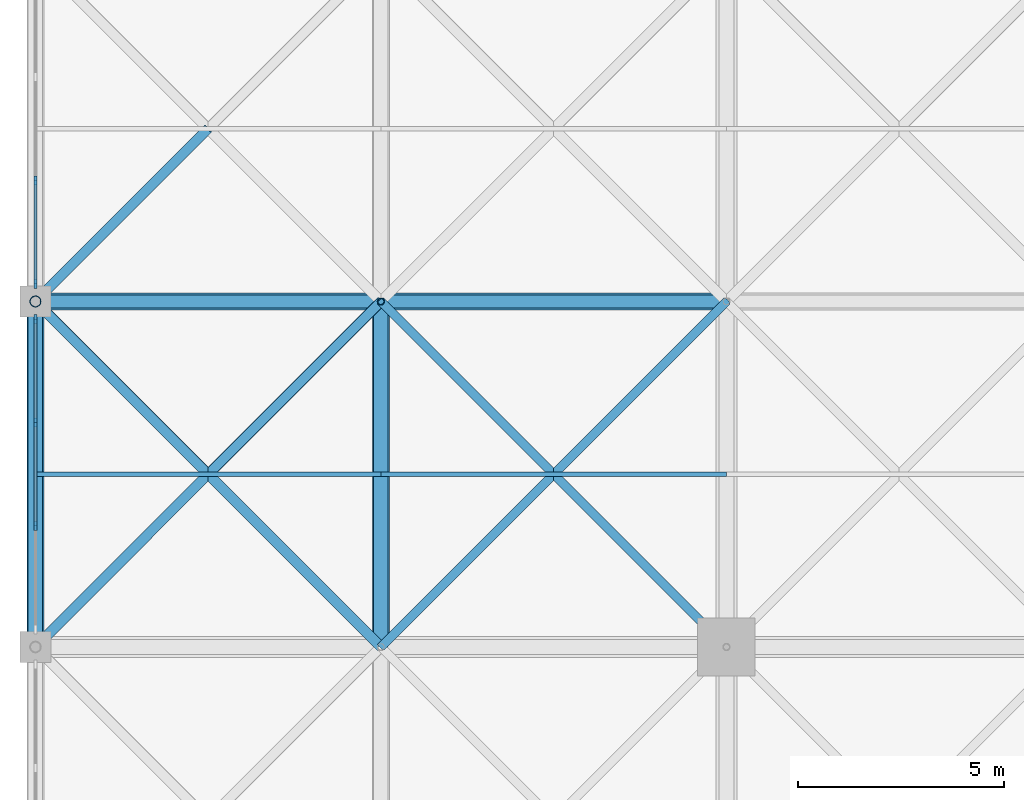
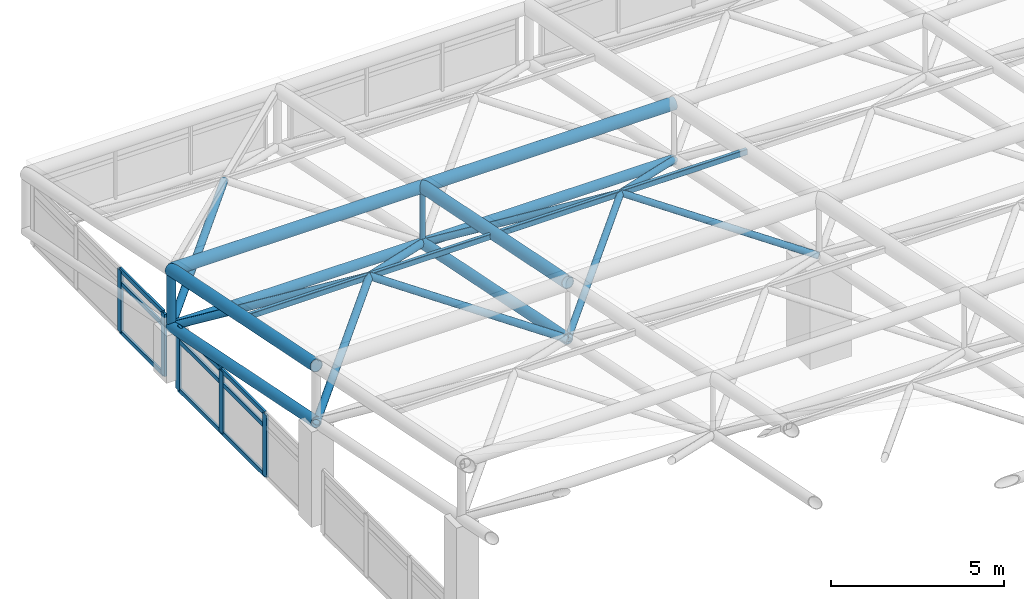
# One storey, part 47 of 81: 35 members, 2 elements without a shape of their own.
"""IFC4 building model written with IfcOpenShell, lengths in metres."""

from ifc_helpers import new_model, si_unit, direction, frame, origin, origin_2d, place, context, subcontext, project, spatial, rectangle, hollow_rectangle, hollow_circle, extrude, material, layer, layer_set, material_profile, profile_set, type_object, element, aggregate, save


model = new_model("IFC4")

# Units and contexts
model_context = context("Model", 3, precision=1e-05, world=origin(), true_north=direction((0.0, 1.0)))
body_context = subcontext(model_context, "Body", "Model", "MODEL_VIEW")
ifc_project = project(units=[si_unit("LENGTHUNIT", "METRE"), si_unit("AREAUNIT", "SQUARE_METRE"), si_unit("VOLUMEUNIT", "CUBIC_METRE"), si_unit("PLANEANGLEUNIT", "RADIAN"), si_unit("MASSUNIT", "GRAM", prefix="KILO")], contexts=[model_context])

# Site, building, storey
site_placement = place(None, origin())
site = spatial("IfcSite", under=ifc_project, at=site_placement, CompositionType="ELEMENT")
building_placement = place(site_placement, origin())
building = spatial("IfcBuilding", under=site, at=building_placement, Name="Qawsi Khor Wholesale Market", CompositionType="ELEMENT")
storey_placement = place(building_placement, frame((0.0, 0.0, 16.199951171875)))
storey = spatial("IfcBuildingStorey", under=building, at=storey_placement, Name="L03", CompositionType="ELEMENT", Elevation=16.199951171875)

# Curtain wall, members
ifc_material_1 = material(Name="Aluminium Anodised Bronze", Category="aluminium")
ifc_layer = layer(ifc_material_1, 0.199951171875, Name="Aluminium Anodised Bronze")
ifc_layer_set = layer_set([ifc_layer], Name="Aluminium Anodised Bronze")
curtain_wall_type = type_object("IfcCurtainWallType", Name="Trading Hall North-Light Curtain Wall CW-03", PredefinedType="NOTDEFINED", material=ifc_layer_set)
curtain_wall_1_placement = place(storey_placement, origin())
curtain_wall_1 = element("IfcCurtainWall", 1, at=curtain_wall_1_placement, inside=storey, type_object=curtain_wall_type, Name="Curtain wall CW-CW-03-L03-141", PredefinedType="NOTDEFINED")
ifc_material_profile_1 = material_profile(ifc_material_1, rectangle(XDim=0.074951171875, YDim=0.219970703125, at=origin_2d()), Name="ALU MULLION 75x220")
ifc_profile_set_1 = profile_set([ifc_material_profile_1], Name="Aluminium Anodised Bronze")
member_type_1 = type_object("IfcMemberType", Name="Curtain Wall Mullion CW-03 ALU MULLION 75x220", PredefinedType="MULLION", material=ifc_profile_set_1)
member_1_placement = place(storey_placement, frame((0.0, 95.3408203125, -0.300048828125), z_axis=(0.0, 0.0, 1.0), x_axis=(1.0, 0.0, 0.0)))
member_1 = element("IfcMember", 2, at=member_1_placement, type_object=member_type_1, Name="Mullion CW-CW-03-L03-141-M01", PredefinedType="MULLION", context=body_context, shape_type="SweptSolid", body=[
    extrude(rectangle(XDim=0.074951171875, YDim=0.219970703125, at=origin_2d()), origin(), (0.0, 0.0, 1.0), 2.2001953125),
])
member_2_placement = place(storey_placement, frame((0.0, 97.859130859375, -0.300048828125), z_axis=(0.0, 0.0, 1.0), x_axis=(1.0, 0.0, 0.0)))
member_2 = element("IfcMember", 3, at=member_2_placement, type_object=member_type_1, Name="Mullion CW-CW-03-L03-141-M02", PredefinedType="MULLION", context=body_context, shape_type="SweptSolid", body=[
    extrude(rectangle(XDim=0.074951171875, YDim=0.219970703125, at=origin_2d()), origin(), (0.0, 0.0, 1.0), 2.2001953125),
])
member_3_placement = place(storey_placement, frame((0.0, 100.37744140625, -0.300048828125), z_axis=(0.0, 0.0, 1.0), x_axis=(1.0, 0.0, 0.0)))
member_3 = element("IfcMember", 4, at=member_3_placement, type_object=member_type_1, Name="Mullion CW-CW-03-L03-141-M03", PredefinedType="MULLION", context=body_context, shape_type="SweptSolid", body=[
    extrude(rectangle(XDim=0.074951171875, YDim=0.219970703125, at=origin_2d()), origin(), (0.0, 0.0, 1.0), 2.2001953125),
])

curtain_wall_2_placement = place(storey_placement, origin())
curtain_wall_2 = element("IfcCurtainWall", 5, at=curtain_wall_2_placement, inside=storey, type_object=curtain_wall_type, Name="Curtain wall CW-CW-03-L03-143", PredefinedType="NOTDEFINED")
member_4_placement = place(storey_placement, frame((0.0, 101.222412109375, -0.300048828125), z_axis=(0.0, 0.0, 1.0), x_axis=(1.0, 0.0, 0.0)))
member_4 = element("IfcMember", 6, at=member_4_placement, type_object=member_type_1, Name="Mullion CW-CW-03-L03-143-M00", PredefinedType="MULLION", context=body_context, shape_type="SweptSolid", body=[
    extrude(rectangle(XDim=0.074951171875, YDim=0.219970703125, at=origin_2d()), origin(), (0.0, 0.0, 1.0), 2.2001953125),
])
member_5_placement = place(storey_placement, frame((0.0, 103.74072265625, -0.300048828125), z_axis=(0.0, 0.0, 1.0), x_axis=(1.0, 0.0, 0.0)))
member_5 = element("IfcMember", 7, at=member_5_placement, type_object=member_type_1, Name="Mullion CW-CW-03-L03-143-M01", PredefinedType="MULLION", context=body_context, shape_type="SweptSolid", body=[
    extrude(rectangle(XDim=0.074951171875, YDim=0.219970703125, at=origin_2d()), origin(), (0.0, 0.0, 1.0), 2.2001953125),
])

# Member
ifc_material_profile_2 = material_profile(ifc_material_1, rectangle(XDim=0.070068359375, YDim=0.14990234375, at=origin_2d()), Name="ALU TRANSOM 70x150")
ifc_profile_set_2 = profile_set([ifc_material_profile_2], Name="Aluminium Anodised Bronze")
member_type_2 = type_object("IfcMemberType", Name="Curtain Wall Transom CW-03 ALU TRANSOM 70x150", PredefinedType="USERDEFINED", material=ifc_profile_set_2)
member_6_placement = place(storey_placement, frame((0.0, 95.3408203125, -0.280029296875), z_axis=(0.0, 1.0, 0.0), x_axis=(-1.0, 0.0, 0.0)))
member_6 = element("IfcMember", 8, at=member_6_placement, type_object=member_type_2, Name="Transom CW-CW-03-L03-141-T0_01", ObjectType="TRANSOM", PredefinedType="USERDEFINED", context=body_context, shape_type="SweptSolid", body=[
    extrude(rectangle(XDim=0.070068359375, YDim=0.14990234375, at=origin_2d()), origin(), (0.0, 0.0, 1.0), 2.518310546875),
])

member_7_placement = place(storey_placement, frame((0.0, 97.859130859375, -0.280029296875), z_axis=(0.0, 1.0, 0.0), x_axis=(-1.0, 0.0, 0.0)))
member_7 = element("IfcMember", 9, at=member_7_placement, type_object=member_type_2, Name="Transom CW-CW-03-L03-141-T0_02", ObjectType="TRANSOM", PredefinedType="USERDEFINED", context=body_context, shape_type="SweptSolid", body=[
    extrude(rectangle(XDim=0.070068359375, YDim=0.14990234375, at=origin_2d()), origin(), (0.0, 0.0, 1.0), 2.518310546875),
])

member_8_placement = place(storey_placement, frame((0.0, 95.3408203125, 1.449951171875), z_axis=(0.0, 1.0, 0.0), x_axis=(-1.0, 0.0, 0.0)))
member_8 = element("IfcMember", 10, at=member_8_placement, type_object=member_type_2, Name="Transom CW-CW-03-L03-141-T1_01", ObjectType="TRANSOM", PredefinedType="USERDEFINED", context=body_context, shape_type="SweptSolid", body=[
    extrude(rectangle(XDim=0.070068359375, YDim=0.14990234375, at=origin_2d()), origin(), (0.0, 0.0, 1.0), 2.518310546875),
])

member_9_placement = place(storey_placement, frame((0.0, 97.859130859375, 1.449951171875), z_axis=(0.0, 1.0, 0.0), x_axis=(-1.0, 0.0, 0.0)))
member_9 = element("IfcMember", 11, at=member_9_placement, type_object=member_type_2, Name="Transom CW-CW-03-L03-141-T1_02", ObjectType="TRANSOM", PredefinedType="USERDEFINED", context=body_context, shape_type="SweptSolid", body=[
    extrude(rectangle(XDim=0.070068359375, YDim=0.14990234375, at=origin_2d()), origin(), (0.0, 0.0, 1.0), 2.518310546875),
])

member_10_placement = place(storey_placement, frame((0.0, 95.3408203125, 1.900146484375), z_axis=(0.0, 1.0, 0.0), x_axis=(-1.0, 0.0, 0.0)))
member_10 = element("IfcMember", 12, at=member_10_placement, type_object=member_type_2, Name="Transom CW-CW-03-L03-141-T2_01", ObjectType="TRANSOM", PredefinedType="USERDEFINED", context=body_context, shape_type="SweptSolid", body=[
    extrude(rectangle(XDim=0.070068359375, YDim=0.14990234375, at=origin_2d()), origin(), (0.0, 0.0, 1.0), 2.518310546875),
])

member_11_placement = place(storey_placement, frame((0.0, 97.859130859375, 1.900146484375), z_axis=(0.0, 1.0, 0.0), x_axis=(-1.0, 0.0, 0.0)))
member_11 = element("IfcMember", 13, at=member_11_placement, type_object=member_type_2, Name="Transom CW-CW-03-L03-141-T2_02", ObjectType="TRANSOM", PredefinedType="USERDEFINED", context=body_context, shape_type="SweptSolid", body=[
    extrude(rectangle(XDim=0.070068359375, YDim=0.14990234375, at=origin_2d()), origin(), (0.0, 0.0, 1.0), 2.518310546875),
])

aggregate(curtain_wall_1, [member_1, member_2, member_3, member_6, member_7, member_8, member_9, member_10, member_11])

member_12_placement = place(storey_placement, frame((0.0, 101.222412109375, -0.280029296875), z_axis=(0.0, 1.0, 0.0), x_axis=(-1.0, 0.0, 0.0)))
member_12 = element("IfcMember", 14, at=member_12_placement, type_object=member_type_2, Name="Transom CW-CW-03-L03-143-T0_00", ObjectType="TRANSOM", PredefinedType="USERDEFINED", context=body_context, shape_type="SweptSolid", body=[
    extrude(rectangle(XDim=0.070068359375, YDim=0.14990234375, at=origin_2d()), origin(), (0.0, 0.0, 1.0), 2.518310546875),
])

member_13_placement = place(storey_placement, frame((0.0, 101.222412109375, 1.449951171875), z_axis=(0.0, 1.0, 0.0), x_axis=(-1.0, 0.0, 0.0)))
member_13 = element("IfcMember", 15, at=member_13_placement, type_object=member_type_2, Name="Transom CW-CW-03-L03-143-T1_00", ObjectType="TRANSOM", PredefinedType="USERDEFINED", context=body_context, shape_type="SweptSolid", body=[
    extrude(rectangle(XDim=0.070068359375, YDim=0.14990234375, at=origin_2d()), origin(), (0.0, 0.0, 1.0), 2.518310546875),
])

member_14_placement = place(storey_placement, frame((0.0, 101.222412109375, 1.900146484375), z_axis=(0.0, 1.0, 0.0), x_axis=(-1.0, 0.0, 0.0)))
member_14 = element("IfcMember", 16, at=member_14_placement, type_object=member_type_2, Name="Transom CW-CW-03-L03-143-T2_00", ObjectType="TRANSOM", PredefinedType="USERDEFINED", context=body_context, shape_type="SweptSolid", body=[
    extrude(rectangle(XDim=0.070068359375, YDim=0.14990234375, at=origin_2d()), origin(), (0.0, 0.0, 1.0), 2.518310546875),
])

aggregate(curtain_wall_2, [member_4, member_5, member_12, member_13, member_14])

# Members
ifc_material_2 = material(Name="Steel S355", Category="steel")
ifc_material_profile_3 = material_profile(ifc_material_2, hollow_circle(Radius=0.177734375, WallThickness=0.01611328125, at=origin_2d()), Name="CHS 355.6x16.0")
ifc_profile_set_3 = profile_set([ifc_material_profile_3], Name="Steel S355")
member_type_3 = type_object("IfcMemberType", Name="Space-Frame Bottom Chord CHS 355.6x16.0", PredefinedType="CHORD", material=ifc_profile_set_3)
for number, where, z_axis, x_axis, name in (
    (17, (0.0, 92.39990234375, 3.3701171875), (0.0, 0.98013111127, -0.198350711418), (-1.0, 0.0, 0.0), "Space frame bottom chord Y WH (0,11)"),
    (18, (8.39990234375, 92.39990234375, 3.3701171875), (0.0, 0.98013111127, -0.198350711418), (-1.0, 0.0, 0.0), "Space frame bottom chord Y WH (1,11)"),
):
    element("IfcMember", number, at=place(storey_placement, frame(where, z_axis=z_axis, x_axis=x_axis)), inside=storey, type_object=member_type_3, Name=name, PredefinedType="CHORD", context=body_context, shape_type="SweptSolid", body=[
        extrude(hollow_circle(Radius=0.177734375, WallThickness=0.01611328125, at=origin_2d()), origin(), (0.0, 0.0, 1.0), 8.5703125),
    ])
ifc_material_profile_4 = material_profile(ifc_material_2, hollow_circle(Radius=0.136474609375, WallThickness=0.012451171875, at=origin_2d()), Name="CHS 273.0x12.5")
ifc_profile_set_4 = profile_set([ifc_material_profile_4], Name="Steel S355")
member_type_4 = type_object("IfcMemberType", Name="Space-Frame Edge Post CHS 273.0x12.5", PredefinedType="POST", material=ifc_profile_set_4)
member_15_placement = place(storey_placement, frame((0.0, 100.800048828125, 1.670166015625), z_axis=(0.0, 0.0, 1.0), x_axis=(1.0, 0.0, 0.0)))
element("IfcMember", 19, at=member_15_placement, inside=storey, type_object=member_type_4, Name="Space frame post WH (0,12)", PredefinedType="POST", context=body_context, shape_type="SweptSolid", body=[
    extrude(hollow_circle(Radius=0.136474609375, WallThickness=0.012451171875, at=origin_2d()), origin(), (0.0, 0.0, 1.0), 2.0),
])
ifc_material_profile_5 = material_profile(ifc_material_2, hollow_circle(Radius=0.122314453125, WallThickness=0.012451171875, at=origin_2d()), Name="CHS 244.5x12.5")
ifc_profile_set_5 = profile_set([ifc_material_profile_5], Name="Steel S355")
member_type_5 = type_object("IfcMemberType", Name="Space-Frame Heavy Diagonal CHS 244.5x12.5", PredefinedType="POST", material=ifc_profile_set_5)
for number, where, z_axis, x_axis, name in (
    (20, (0.0, 92.39990234375, 3.3701171875), (0.694197266374, 0.694237619642, 0.19006389145), (-0.707127332136, 0.70708622964, 0.0), "Space frame diagonal WH (0,11)-1"),
    (21, (8.39990234375, 92.39990234375, 3.3701171875), (-0.694197266374, 0.694237619642, 0.19006389145), (-0.707127332136, -0.70708622964, 0.0), "Space frame diagonal WH (0,11)-2"),
):
    element("IfcMember", number, at=place(storey_placement, frame(where, z_axis=z_axis, x_axis=x_axis)), inside=storey, type_object=member_type_5, Name=name, PredefinedType="POST", context=body_context, shape_type="SweptSolid", body=[
        extrude(hollow_circle(Radius=0.122314453125, WallThickness=0.012451171875, at=origin_2d()), origin(), (0.0, 0.0, 1.0), 6.050048828125),
    ])
for number, where, z_axis, x_axis, name in (
    (22, (8.39990234375, 100.800048828125, 1.670166015625), (-0.637521961484, -0.637521961484, 0.432586982294), (0.707106781187, -0.707106781187, 0.0), "Space frame diagonal WH (0,11)-3"),
    (23, (0.0, 100.800048828125, 1.670166015625), (0.637521961484, -0.637521961484, 0.432586982294), (0.707106781187, 0.707106781187, 0.0), "Space frame diagonal WH (0,11)-4"),
):
    element("IfcMember", number, at=place(storey_placement, frame(where, z_axis=z_axis, x_axis=x_axis)), inside=storey, type_object=member_type_5, Name=name, PredefinedType="POST", context=body_context, shape_type="SweptSolid", body=[
        extrude(hollow_circle(Radius=0.122314453125, WallThickness=0.012451171875, at=origin_2d()), origin(), (0.0, 0.0, 1.0), 6.587890625),
    ])
member_16_placement = place(storey_placement, frame((0.0, 100.800048828125, 1.670166015625), z_axis=(0.694216714393, 0.694216714393, 0.190069216113), x_axis=(-0.707106781187, 0.707106781187, 0.0)))
element("IfcMember", 24, at=member_16_placement, inside=storey, type_object=member_type_5, Name="Space frame diagonal WH (0,12)-1", PredefinedType="POST", context=body_context, shape_type="SweptSolid", body=[
    extrude(hollow_circle(Radius=0.122314453125, WallThickness=0.012451171875, at=origin_2d()), origin(), (0.0, 0.0, 1.0), 6.0498046875),
])
ifc_material_profile_6 = material_profile(ifc_material_2, hollow_rectangle(XDim=0.1201171875, YDim=0.199951171875, WallThickness=0.008056640625, InnerFilletRadius=0.008056640625, OuterFilletRadius=0.01611328125, at=origin_2d()), Name="RHS 200x120x8.0")
ifc_profile_set_6 = profile_set([ifc_material_profile_6], Name="Steel S355")
member_type_6 = type_object("IfcMemberType", Name="Space-Frame Heavy Purlin RHS 200x120x8.0", PredefinedType="PURLIN", material=ifc_profile_set_6)
member_17_placement = place(storey_placement, frame((0.0, 96.60009765625, 4.52001953125), z_axis=(1.0, 0.0, 0.0), x_axis=(0.0, 1.0, 0.0)))
element("IfcMember", 25, at=member_17_placement, inside=storey, type_object=member_type_6, Name="Space frame purlin WH (0,11)", PredefinedType="PURLIN", context=body_context, shape_type="SweptSolid", body=[
    extrude(hollow_rectangle(XDim=0.1201171875, YDim=0.199951171875, WallThickness=0.008056640625, InnerFilletRadius=0.008056640625, OuterFilletRadius=0.01611328125, at=origin_2d()), origin(), (0.0, 0.0, 1.0), 8.39990234375),
])
member_18_placement = place(storey_placement, frame((8.39990234375, 96.60009765625, 4.52001953125), z_axis=(1.0, 0.0, 0.0), x_axis=(0.0, 1.0, 0.0)))
element("IfcMember", 26, at=member_18_placement, inside=storey, type_object=member_type_6, Name="Space frame purlin WH (1,11)", PredefinedType="PURLIN", context=body_context, shape_type="SweptSolid", body=[
    extrude(hollow_rectangle(XDim=0.1201171875, YDim=0.199951171875, WallThickness=0.008056640625, InnerFilletRadius=0.008056640625, OuterFilletRadius=0.01611328125, at=origin_2d()), origin(), (0.0, 0.0, 1.0), 8.400146484375),
])
ifc_material_profile_7 = material_profile(ifc_material_2, hollow_circle(Radius=0.109619140625, WallThickness=0.010009765625, at=origin_2d()), Name="CHS 219.1x10.0")
ifc_profile_set_7 = profile_set([ifc_material_profile_7], Name="Steel S355")
member_type_7 = type_object("IfcMemberType", Name="Space-Frame Inner Diagonal CHS 219.1x10.0", PredefinedType="RAFTER", material=ifc_profile_set_7)
member_19_placement = place(storey_placement, frame((8.39990234375, 92.39990234375, 3.3701171875), z_axis=(0.694218172126, 0.694218172126, 0.190058567235), x_axis=(-0.707106781187, 0.707106781187, 0.0)))
element("IfcMember", 27, at=member_19_placement, inside=storey, type_object=member_type_7, Name="Space frame diagonal WH (1,11)-1", PredefinedType="RAFTER", context=body_context, shape_type="SweptSolid", body=[
    extrude(hollow_circle(Radius=0.109619140625, WallThickness=0.010009765625, at=origin_2d()), origin(), (0.0, 0.0, 1.0), 6.05029296875),
])
member_20_placement = place(storey_placement, frame((16.800048828125, 92.39990234375, 3.3701171875), z_axis=(-0.694197266374, 0.694237619642, 0.19006389145), x_axis=(-0.707127332136, -0.70708622964, 0.0)))
element("IfcMember", 28, at=member_20_placement, inside=storey, type_object=member_type_7, Name="Space frame diagonal WH (1,11)-2", PredefinedType="RAFTER", context=body_context, shape_type="SweptSolid", body=[
    extrude(hollow_circle(Radius=0.109619140625, WallThickness=0.010009765625, at=origin_2d()), origin(), (0.0, 0.0, 1.0), 6.050048828125),
])
member_21_placement = place(storey_placement, frame((16.800048828125, 100.800048828125, 1.670166015625), z_axis=(-0.637521961484, -0.637521961484, 0.432586982294), x_axis=(0.707106781187, -0.707106781187, 0.0)))
element("IfcMember", 29, at=member_21_placement, inside=storey, type_object=member_type_7, Name="Space frame diagonal WH (1,11)-3", PredefinedType="RAFTER", context=body_context, shape_type="SweptSolid", body=[
    extrude(hollow_circle(Radius=0.109619140625, WallThickness=0.010009765625, at=origin_2d()), origin(), (0.0, 0.0, 1.0), 6.587890625),
])
member_22_placement = place(storey_placement, frame((8.39990234375, 100.800048828125, 1.670166015625), z_axis=(0.637543957519, -0.637506899628, 0.432576762155), x_axis=(0.70708622964, 0.707127332136, 0.0)))
element("IfcMember", 30, at=member_22_placement, inside=storey, type_object=member_type_7, Name="Space frame diagonal WH (1,11)-4", PredefinedType="RAFTER", context=body_context, shape_type="SweptSolid", body=[
    extrude(hollow_circle(Radius=0.109619140625, WallThickness=0.010009765625, at=origin_2d()), origin(), (0.0, 0.0, 1.0), 6.588134765625),
])
ifc_material_profile_8 = material_profile(ifc_material_2, hollow_circle(Radius=0.161865234375, WallThickness=0.01611328125, at=origin_2d()), Name="CHS 323.9x16.0")
ifc_profile_set_8 = profile_set([ifc_material_profile_8], Name="Steel S355")
member_type_8 = type_object("IfcMemberType", Name="Space-Frame Secondary Chord CHS 323.9x16.0", PredefinedType="CHORD", material=ifc_profile_set_8)
member_23_placement = place(storey_placement, frame((0.0, 100.800048828125, 1.670166015625), z_axis=(1.0, 0.0, 0.0), x_axis=(0.0, 1.0, 0.0)))
element("IfcMember", 31, at=member_23_placement, inside=storey, type_object=member_type_8, Name="Space frame bottom chord X WH (0,12)", PredefinedType="CHORD", context=body_context, shape_type="SweptSolid", body=[
    extrude(hollow_circle(Radius=0.161865234375, WallThickness=0.01611328125, at=origin_2d()), origin(), (0.0, 0.0, 1.0), 8.39990234375),
])
member_24_placement = place(storey_placement, frame((8.39990234375, 100.800048828125, 1.670166015625), z_axis=(1.0, 0.0, 0.0), x_axis=(0.0, 1.0, 0.0)))
element("IfcMember", 32, at=member_24_placement, inside=storey, type_object=member_type_8, Name="Space frame bottom chord X WH (1,12)", PredefinedType="CHORD", context=body_context, shape_type="SweptSolid", body=[
    extrude(hollow_circle(Radius=0.161865234375, WallThickness=0.01611328125, at=origin_2d()), origin(), (0.0, 0.0, 1.0), 8.400146484375),
])
ifc_material_profile_9 = material_profile(ifc_material_2, hollow_circle(Radius=0.203125, WallThickness=0.02001953125, at=origin_2d()), Name="CHS 406.4x20.0")
ifc_profile_set_9 = profile_set([ifc_material_profile_9], Name="Steel S355")
member_type_9 = type_object("IfcMemberType", Name="Space-Frame Top Chord CHS 406.4x20.0", PredefinedType="CHORD", material=ifc_profile_set_9)
member_25_placement = place(storey_placement, frame((0.0, 92.39990234375, 5.3701171875), z_axis=(0.0, 0.98013111127, -0.198350711418), x_axis=(-1.0, 0.0, 0.0)))
element("IfcMember", 33, at=member_25_placement, inside=storey, type_object=member_type_9, Name="Space frame top chord Y WH (0,11)", PredefinedType="CHORD", context=body_context, shape_type="SweptSolid", body=[
    extrude(hollow_circle(Radius=0.203125, WallThickness=0.02001953125, at=origin_2d()), origin(), (0.0, 0.0, 1.0), 8.5703125),
])
member_26_placement = place(storey_placement, frame((0.0, 100.800048828125, 3.670166015625), z_axis=(1.0, 0.0, 0.0), x_axis=(0.0, 1.0, 0.0)))
element("IfcMember", 34, at=member_26_placement, inside=storey, type_object=member_type_9, Name="Space frame top chord X WH (0,12)", PredefinedType="CHORD", context=body_context, shape_type="SweptSolid", body=[
    extrude(hollow_circle(Radius=0.203125, WallThickness=0.02001953125, at=origin_2d()), origin(), (0.0, 0.0, 1.0), 8.39990234375),
])
member_27_placement = place(storey_placement, frame((8.39990234375, 92.39990234375, 5.3701171875), z_axis=(0.0, 0.98013111127, -0.198350711418), x_axis=(-1.0, 0.0, 0.0)))
element("IfcMember", 35, at=member_27_placement, inside=storey, type_object=member_type_9, Name="Space frame top chord Y WH (1,11)", PredefinedType="CHORD", context=body_context, shape_type="SweptSolid", body=[
    extrude(hollow_circle(Radius=0.203125, WallThickness=0.02001953125, at=origin_2d()), origin(), (0.0, 0.0, 1.0), 8.5703125),
])
member_28_placement = place(storey_placement, frame((8.39990234375, 100.800048828125, 3.670166015625), z_axis=(1.0, 0.0, 0.0), x_axis=(0.0, 1.0, 0.0)))
element("IfcMember", 36, at=member_28_placement, inside=storey, type_object=member_type_9, Name="Space frame top chord X WH (1,12)", PredefinedType="CHORD", context=body_context, shape_type="SweptSolid", body=[
    extrude(hollow_circle(Radius=0.203125, WallThickness=0.02001953125, at=origin_2d()), origin(), (0.0, 0.0, 1.0), 8.400146484375),
])
ifc_material_profile_10 = material_profile(ifc_material_2, hollow_circle(Radius=0.084228515625, WallThickness=0.008056640625, at=origin_2d()), Name="CHS 168.3x8.0")
ifc_profile_set_10 = profile_set([ifc_material_profile_10], Name="Steel S355")
member_type_10 = type_object("IfcMemberType", Name="Space-Frame Vertical Strut CHS 168.3x8.0", PredefinedType="STRUT", material=ifc_profile_set_10)
member_29_placement = place(storey_placement, frame((8.39990234375, 100.800048828125, 1.670166015625), z_axis=(0.0, 0.0, 1.0), x_axis=(1.0, 0.0, 0.0)))
element("IfcMember", 37, at=member_29_placement, inside=storey, type_object=member_type_10, Name="Space frame post WH (1,12)", PredefinedType="STRUT", context=body_context, shape_type="SweptSolid", body=[
    extrude(hollow_circle(Radius=0.084228515625, WallThickness=0.008056640625, at=origin_2d()), origin(), (0.0, 0.0, 1.0), 2.0),
])

save(model, "model.ifc")
